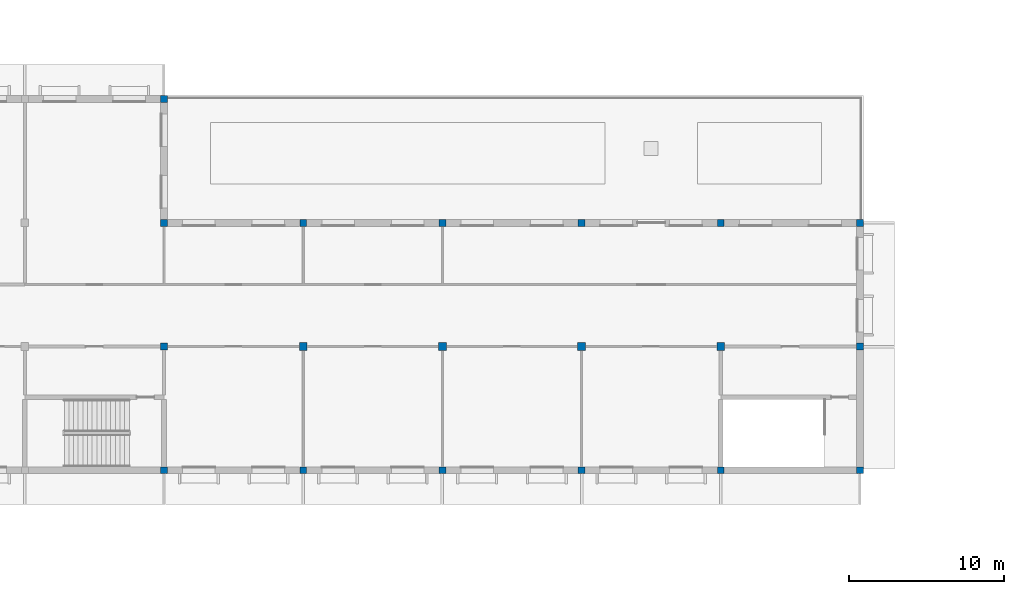
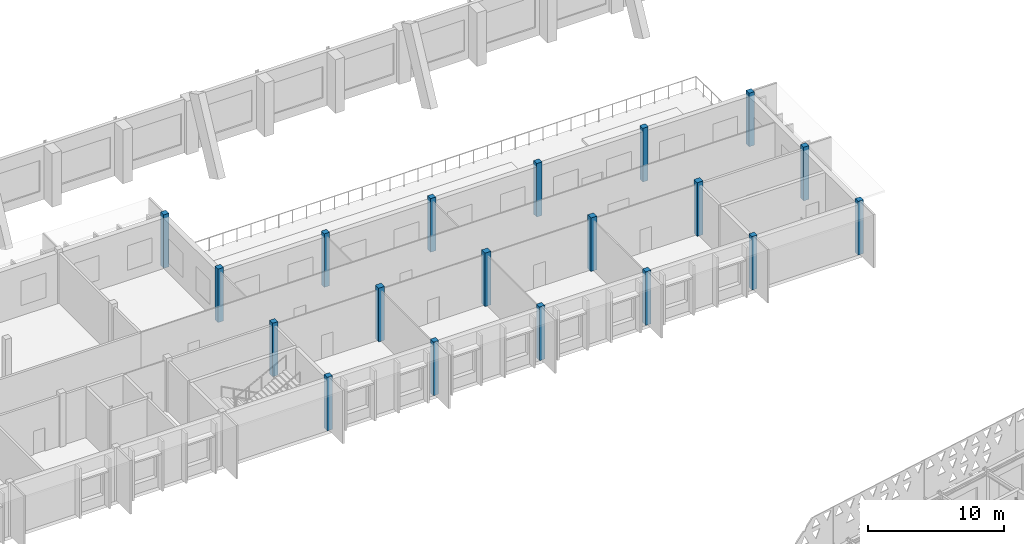
# One storey, part 9 of 182: 19 columns.
"""IFC4 building model written with IfcOpenShell, lengths in metres."""

from ifc_helpers import new_model, si_unit, direction, frame, origin, origin_2d, place, context, subcontext, project, spatial, rectangle, extrude, material, material_profile, profile_set, type_object, element, save


model = new_model("IFC4")

# Units and contexts
model_context = context("Model", 3, precision=1e-05, world=origin(), true_north=direction((0.0, 1.0)))
body_context = subcontext(model_context, "Body", "Model", "MODEL_VIEW")
ifc_project = project(units=[si_unit("LENGTHUNIT", "METRE"), si_unit("AREAUNIT", "SQUARE_METRE"), si_unit("VOLUMEUNIT", "CUBIC_METRE"), si_unit("PLANEANGLEUNIT", "RADIAN"), si_unit("MASSUNIT", "GRAM", prefix="KILO")], contexts=[model_context])

# Site, building, storey
site_placement = place(None, origin())
site = spatial("IfcSite", under=ifc_project, at=site_placement, CompositionType="ELEMENT")
building_placement = place(site_placement, origin())
building = spatial("IfcBuilding", under=site, at=building_placement, Name="Okhra Congress Centre", CompositionType="ELEMENT")
storey_placement = place(building_placement, frame((0.0, 0.0, 7.199951171875)))
storey = spatial("IfcBuildingStorey", under=building, at=storey_placement, Name="L01", CompositionType="ELEMENT", Elevation=7.199951171875)

# Columns
ifc_material = material(Name="Concrete C35/45", Category="concrete")
ifc_material_profile_1 = material_profile(ifc_material, rectangle(XDim=0.449951171875, YDim=0.449951171875, at=origin_2d()), Name="RC 450x450")
ifc_profile_set_1 = profile_set([ifc_material_profile_1], Name="Concrete C35/45")
column_type_1 = type_object("IfcColumnType", Name="RC column 450x450 C35/45", PredefinedType="COLUMN", material=ifc_profile_set_1)
for number, where, z_axis, x_axis, name in (
    (1, (73.0, 96.0, 0.0), (0.0, 0.0, 1.0), (1.0, 0.0, 0.0), "SV.COL.L01.21"),
    (2, (73.0, 104.0, 0.0), (0.0, 0.0, 1.0), (1.0, 0.0, 0.0), "SV.COL.L01.22"),
    (3, (73.0, 112.0, 0.0), (0.0, 0.0, 1.0), (1.0, 0.0, 0.0), "SV.COL.L01.23"),
    (4, (73.0, 120.0, 0.0), (0.0, 0.0, 1.0), (1.0, 0.0, 0.0), "SV.COL.L01.24"),
    (5, (82.0, 96.0, 0.0), (0.0, 0.0, 1.0), (1.0, 0.0, 0.0), "SV.COL.L01.25"),
    (6, (82.0, 112.0, 0.0), (0.0, 0.0, 1.0), (1.0, 0.0, 0.0), "SV.COL.L01.27"),
    (7, (91.0, 96.0, 0.0), (0.0, 0.0, 1.0), (1.0, 0.0, 0.0), "SV.COL.L01.28"),
    (8, (91.0, 112.0, 0.0), (0.0, 0.0, 1.0), (1.0, 0.0, 0.0), "SV.COL.L01.30"),
    (9, (100.0, 96.0, 0.0), (0.0, 0.0, 1.0), (1.0, 0.0, 0.0), "SV.COL.L01.31"),
    (10, (100.0, 112.0, 0.0), (0.0, 0.0, 1.0), (1.0, 0.0, 0.0), "SV.COL.L01.33"),
    (11, (109.0, 96.0, 0.0), (0.0, 0.0, 1.0), (1.0, 0.0, 0.0), "SV.COL.L01.34"),
    (12, (109.0, 112.0, 0.0), (0.0, 0.0, 1.0), (1.0, 0.0, 0.0), "SV.COL.L01.36"),
    (13, (118.0, 96.0, 0.0), (0.0, 0.0, 1.0), (1.0, 0.0, 0.0), "SV.COL.L01.37"),
    (14, (118.0, 104.0, 0.0), (0.0, 0.0, 1.0), (1.0, 0.0, 0.0), "SV.COL.L01.38"),
    (15, (118.0, 112.0, 0.0), (0.0, 0.0, 1.0), (1.0, 0.0, 0.0), "SV.COL.L01.39"),
):
    element("IfcColumn", number, at=place(storey_placement, frame(where, z_axis=z_axis, x_axis=x_axis)), inside=storey, type_object=column_type_1, Name=name, PredefinedType="COLUMN", context=body_context, shape_type="SweptSolid", body=[
        extrude(rectangle(XDim=0.449951171875, YDim=0.449951171875, at=origin_2d()), origin(), (0.0, 0.0, 1.0), 4.800048828125),
    ])
ifc_material_profile_2 = material_profile(ifc_material, rectangle(XDim=0.5, YDim=0.5, at=origin_2d()), Name="RC 500x500")
ifc_profile_set_2 = profile_set([ifc_material_profile_2], Name="Concrete C35/45")
column_type_2 = type_object("IfcColumnType", Name="RC column 500x500 C35/45", PredefinedType="COLUMN", material=ifc_profile_set_2)
for number, where, z_axis, x_axis, name in (
    (16, (82.0, 104.0, 0.0), (0.0, 0.0, 1.0), (1.0, 0.0, 0.0), "SV.COL.L01.26"),
    (17, (91.0, 104.0, 0.0), (0.0, 0.0, 1.0), (1.0, 0.0, 0.0), "SV.COL.L01.29"),
    (18, (100.0, 104.0, 0.0), (0.0, 0.0, 1.0), (1.0, 0.0, 0.0), "SV.COL.L01.32"),
    (19, (109.0, 104.0, 0.0), (0.0, 0.0, 1.0), (1.0, 0.0, 0.0), "SV.COL.L01.35"),
):
    element("IfcColumn", number, at=place(storey_placement, frame(where, z_axis=z_axis, x_axis=x_axis)), inside=storey, type_object=column_type_2, Name=name, PredefinedType="COLUMN", context=body_context, shape_type="SweptSolid", body=[
        extrude(rectangle(XDim=0.5, YDim=0.5, at=origin_2d()), origin(), (0.0, 0.0, 1.0), 4.800048828125),
    ])

save(model, "model.ifc")
